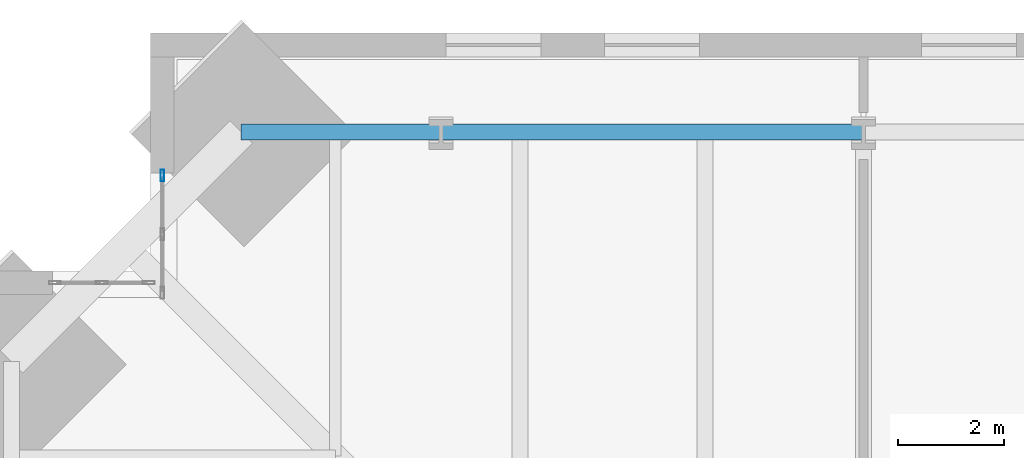
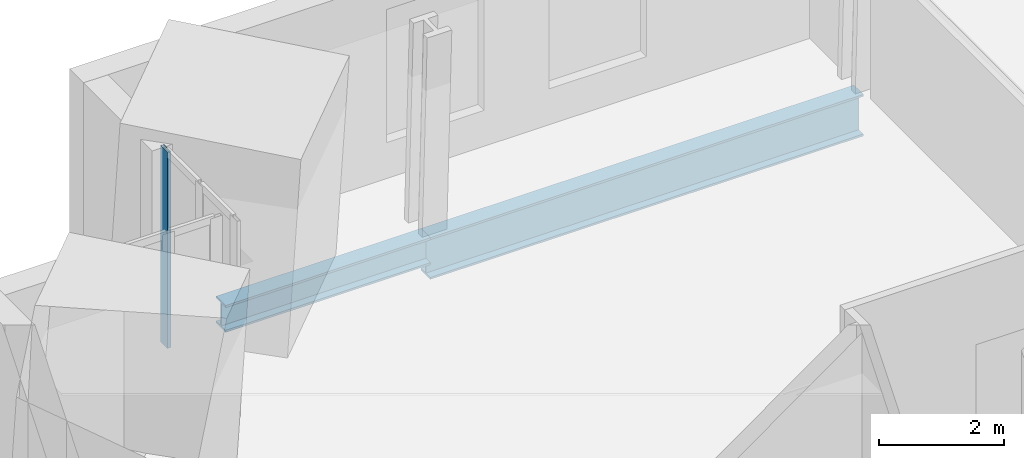
# One storey, part 8 of 18: 2 beams, 1 member, 1 element without a shape of its own.
"""IFC4 building model written with IfcOpenShell, lengths in metres."""

from ifc_helpers import new_model, si_unit, direction, frame, origin, origin_2d, place, context, subcontext, project, spatial, hollow_rectangle, i_section, extrude, material, material_profile, profile_set, type_object, element, aggregate, save


model = new_model("IFC4")

# Units and contexts
model_context = context("Model", 3, precision=1e-05, world=origin(), true_north=direction((0.0, 1.0)))
body_context = subcontext(model_context, "Body", "Model", "MODEL_VIEW")
ifc_project = project(units=[si_unit("LENGTHUNIT", "METRE"), si_unit("AREAUNIT", "SQUARE_METRE"), si_unit("VOLUMEUNIT", "CUBIC_METRE"), si_unit("PLANEANGLEUNIT", "RADIAN"), si_unit("MASSUNIT", "GRAM", prefix="KILO")], contexts=[model_context])

# Site, building, storey
site_placement = place(None, origin())
site = spatial("IfcSite", under=ifc_project, at=site_placement, CompositionType="ELEMENT")
building_placement = place(site_placement, origin())
building = spatial("IfcBuilding", under=site, at=building_placement, Name="Peilmerk Tower", CompositionType="ELEMENT")
storey_placement = place(building_placement, frame((0.0, 0.0, 167.800048828125)))
storey = spatial("IfcBuildingStorey", under=building, at=storey_placement, Name="L35", CompositionType="ELEMENT", Elevation=167.800048828125)

# Beams
ifc_material_1 = material(Name="Steel S355", Category="steel")
ifc_material_profile_1 = material_profile(ifc_material_1, i_section(OverallWidth=0.302978515625, OverallDepth=0.81396484375, WebThickness=0.02099609375, FlangeThickness=0.0400390625, at=origin_2d()), Name="HEM 800")
ifc_profile_set_1 = profile_set([ifc_material_profile_1], Name="Steel S355")
beam_type_1 = type_object("IfcBeamType", Name="B15 HEM 800 edge beam", PredefinedType="SPANDREL", material=ifc_profile_set_1)
beam_1_placement = place(storey_placement, frame((-8.0, 24.130615234375, -0.5771484375), z_axis=(-1.0, 0.0, 0.0), x_axis=(0.0, -1.0, 0.0)))
element("IfcBeam", 1, at=beam_1_placement, inside=storey, type_object=beam_type_1, Name="Edge beam L35", PredefinedType="SPANDREL", context=body_context, shape_type="SweptSolid", body=[
    extrude(i_section(OverallWidth=0.302978515625, OverallDepth=0.81396484375, WebThickness=0.02099609375, FlangeThickness=0.0400390625, at=origin_2d()), origin(), (0.0, 0.0, 1.0), 8.0),
])
ifc_material_profile_2 = material_profile(ifc_material_1, i_section(OverallWidth=0.305908203125, OverallDepth=0.52392578125, WebThickness=0.02099609375, FlangeThickness=0.0400390625, at=origin_2d()), Name="HEM 500")
ifc_profile_set_2 = profile_set([ifc_material_profile_2], Name="Steel S355")
beam_type_2 = type_object("IfcBeamType", Name="B33 HEM 500 edge beam", PredefinedType="SPANDREL", material=ifc_profile_set_2)
beam_2_placement = place(storey_placement, frame((-16.0, 24.130615234375, -0.43212890625), z_axis=(-1.0, 0.0, 0.0), x_axis=(0.0, -1.0, 0.0)))
element("IfcBeam", 2, at=beam_2_placement, inside=storey, type_object=beam_type_2, Name="Edge beam L35", PredefinedType="SPANDREL", context=body_context, shape_type="SweptSolid", body=[
    extrude(i_section(OverallWidth=0.305908203125, OverallDepth=0.52392578125, WebThickness=0.02099609375, FlangeThickness=0.0400390625, at=origin_2d()), origin(), (0.0, 0.0, 1.0), 3.78076171875),
])

# Curtain wall, member
ifc_material_2 = material(Name="Aluminium stick curtain wall", Category="aluminium")
curtain_wall_type = type_object("IfcCurtainWallType", Name="CW3 stick curtain wall, 2250 module", PredefinedType="NOTDEFINED", material=ifc_material_2)
curtain_wall_placement = place(storey_placement, origin())
curtain_wall = element("IfcCurtainWall", 3, at=curtain_wall_placement, inside=storey, type_object=curtain_wall_type, Name="Curtain wall CW3 NWA L35", PredefinedType="NOTDEFINED")
ifc_material_3 = material(Name="Aluminium EN AW-6063 T6", Category="aluminium")
ifc_material_profile_3 = material_profile(ifc_material_3, hollow_rectangle(XDim=0.06494140625, YDim=0.22509765625, WallThickness=0.00390625, at=origin_2d()), Name="AL 225x65x4")
ifc_profile_set_3 = profile_set([ifc_material_profile_3], Name="Aluminium EN AW-6063 T6")
member_type = type_object("IfcMemberType", Name="CW3-M AL 225x65x4 mullion", PredefinedType="MULLION", material=ifc_profile_set_3)
member_placement = place(storey_placement, frame((-21.27490234375, 23.30615234375, 0.0), z_axis=(0.0, 0.0, 1.0), x_axis=(-1.0, 0.0, 0.0)))
member = element("IfcMember", 4, at=member_placement, type_object=member_type, Name="CW3 mullion 3", PredefinedType="MULLION", context=body_context, shape_type="SweptSolid", body=[
    extrude(hollow_rectangle(XDim=0.06494140625, YDim=0.22509765625, WallThickness=0.00390625, at=origin_2d()), origin(), (0.0, 0.0, 1.0), 3.829833984375),
])
aggregate(curtain_wall, [member])

save(model, "model.ifc")
